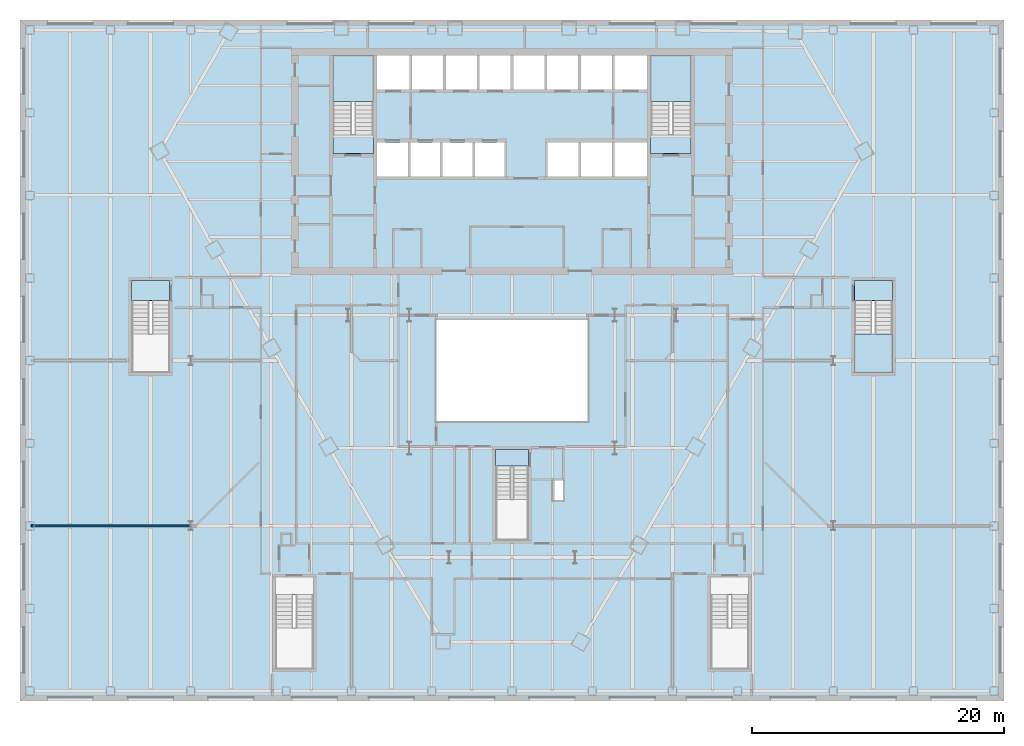
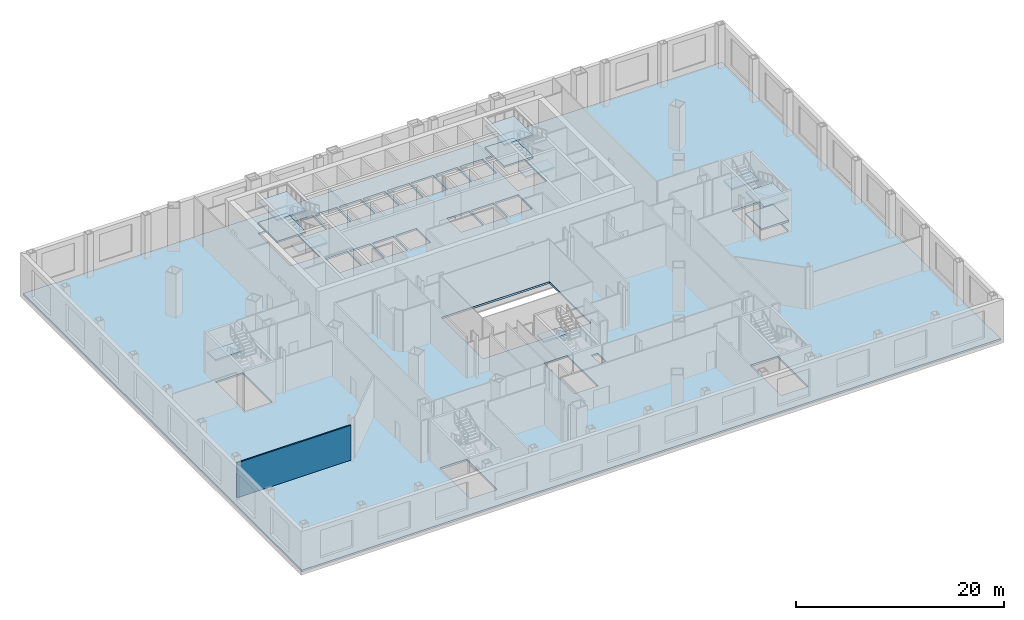
# One storey, part 7 of 21: 12 slabs, 1 wall, 5 elements without a shape of their own.
"""IFC4 building model written with IfcOpenShell, lengths in metres."""

import ifcopenshell
import ifcopenshell.guid

model = None  # the IFC model being written
_history = None  # IfcOwnerHistory: only IFC2X3 demands one
_inside = {}  # id of a spatial element -> (the spatial element, [elements in it])
_under = {}  # id of a project, library or spatial element -> (it, [spatial elements below it])
_declared = {}  # id of a project -> (the project, [libraries it declares])
_typed = {}  # id of a type object -> (the type object, [elements of that type])
_made_of = {}  # id of a material, layer set ... -> (it, [elements and type objects made of it])


def new_model(schema):
    """Start an empty IFC model of exactly this schema.

    Asked for "IFC4X3", IfcOpenShell would pick the latest addendum, in which some entities
    have other attributes; the version numbers below select the first issue.
    IFC2X3 requires an IfcOwnerHistory on every rooted entity: one is made here for all.
    """
    global model, _history
    if schema == "IFC4X3":
        model = ifcopenshell.file(schema_version=(4, 3, 0, 0))
    else:
        model = ifcopenshell.file(schema=schema)
    _inside.clear()
    _under.clear()
    _declared.clear()
    _typed.clear()
    _made_of.clear()
    _history = None
    if model.schema == "IFC2X3":
        org = make("IfcOrganization", Name="unknown")
        user = make(
            "IfcPersonAndOrganization",
            ThePerson=make("IfcPerson", FamilyName="unknown"),
            TheOrganization=org,
        )
        app = make(
            "IfcApplication",
            ApplicationDeveloper=org,
            Version="unknown",
            ApplicationFullName="unknown",
            ApplicationIdentifier="unknown",
        )
        _history = make(
            "IfcOwnerHistory",
            OwningUser=user,
            OwningApplication=app,
            ChangeAction="ADDED",
            CreationDate=0,
        )
    return model


def make(cls, **values):
    """One entity of the class cls with the attributes given. An attribute that is None is left unset."""
    return model.create_entity(
        cls, **{name: value for name, value in values.items() if value is not None}
    )


def rooted(cls, **values):
    """An entity with a GlobalId (a new one), such as an element, a storey or a relation."""
    return make(cls, GlobalId=ifcopenshell.guid.new(), OwnerHistory=_history, **values)


def si_unit(unit_type, name, prefix=None):
    """IfcSIUnit, for example si_unit("LENGTHUNIT", "METRE", prefix="MILLI")."""
    return make("IfcSIUnit", UnitType=unit_type, Prefix=prefix, Name=name)


def assignment(units):
    """IfcUnitAssignment: the units of a project."""
    return None if units is None else make("IfcUnitAssignment", Units=units)


def point(xyz):
    """IfcCartesianPoint."""
    return None if xyz is None else make("IfcCartesianPoint", Coordinates=xyz)


def direction(xyz):
    """IfcDirection."""
    return None if xyz is None else make("IfcDirection", DirectionRatios=xyz)


def frame(location, z_axis=None, x_axis=None):
    """IfcAxis2Placement3D, a coordinate frame: its origin and axes. An axis left out is left unset."""
    return make(
        "IfcAxis2Placement3D",
        Location=point(location),
        Axis=direction(z_axis),
        RefDirection=direction(x_axis),
    )


def frame_2d(location, x_axis=None):
    """IfcAxis2Placement2D, a coordinate frame in the plane: its origin and x axis."""
    return make(
        "IfcAxis2Placement2D", Location=point(location), RefDirection=direction(x_axis)
    )


def origin():
    """The frame at (0, 0, 0) with its axes left unset."""
    return frame((0.0, 0.0, 0.0))


def place(relative_to, where):
    """IfcLocalPlacement: puts the frame where relative to a parent placement (None: the world)."""
    return make(
        "IfcLocalPlacement", PlacementRelTo=relative_to, RelativePlacement=where
    )


def context(
    kind, dimensions, precision=None, world=None, true_north=None, identifier=None
):
    """IfcGeometricRepresentationContext, for example the 3D "Model" context."""
    return make(
        "IfcGeometricRepresentationContext",
        ContextIdentifier=identifier,
        ContextType=kind,
        CoordinateSpaceDimension=dimensions,
        Precision=precision,
        WorldCoordinateSystem=world,
        TrueNorth=true_north,
    )


def subcontext(parent, identifier, kind, view, scale=None):
    """IfcGeometricRepresentationSubContext, for example "Body" below "Model"."""
    return make(
        "IfcGeometricRepresentationSubContext",
        ContextIdentifier=identifier,
        ContextType=kind,
        ParentContext=parent,
        TargetScale=scale,
        TargetView=view,
    )


def project(units=None, contexts=None):
    """IfcProject with its units and contexts."""
    return rooted(
        "IfcProject",
        Name="project",
        RepresentationContexts=contexts,
        UnitsInContext=assignment(units),
    )


def spatial(cls, under=None, at=None, **own):
    """A site, building, storey or space (cls), placed at a placement, below another one or the project."""
    s = rooted(cls, ObjectPlacement=at, **own)
    if under is not None:
        _under.setdefault(under.id(), (under, []))[1].append(s)
    return s


def polyline(points):
    """IfcPolyline through the points."""
    return make("IfcPolyline", Points=[point(p) for p in points])


def profile(cls, at=None, kind="AREA", **sizes):
    """A parametric profile (cls). Its sizes go by their IFC names, for example OverallWidth=200.0."""
    return make(cls, ProfileType=kind, Position=at, **sizes)


def rectangle(**sizes):
    """IfcRectangleProfileDef."""
    return profile("IfcRectangleProfileDef", **sizes)


def outline(outer, holes=None, kind="AREA"):
    """IfcArbitraryClosedProfileDef: a profile drawn as a closed curve; with holes, ...WithVoids."""
    if holes is None:
        return make("IfcArbitraryClosedProfileDef", ProfileType=kind, OuterCurve=outer)
    return make(
        "IfcArbitraryProfileDefWithVoids",
        ProfileType=kind,
        OuterCurve=outer,
        InnerCurves=holes,
    )


def extrude(swept, where, along, depth):
    """IfcExtrudedAreaSolid: the profile swept, set in the frame where, extruded along a direction by depth."""
    return make(
        "IfcExtrudedAreaSolid",
        SweptArea=swept,
        Position=where,
        ExtrudedDirection=direction(along),
        Depth=depth,
    )


def shape(context_of_items, identifier, shape_type, items):
    """IfcShapeRepresentation: the items that make up one representation, for example the "Body"."""
    return make(
        "IfcShapeRepresentation",
        ContextOfItems=context_of_items,
        RepresentationIdentifier=identifier,
        RepresentationType=shape_type,
        Items=items,
    )


def material(Name=None, Category=None):
    """IfcMaterial."""
    return make("IfcMaterial", Name=Name, Category=Category)


def layer(
    of_material, thickness, ventilated=None, Name=None, Category=None, Priority=None
):
    """IfcMaterialLayer: one layer of a wall or slab, of a material (None: an air gap)."""
    return make(
        "IfcMaterialLayer",
        Material=of_material,
        LayerThickness=thickness,
        IsVentilated=ventilated,
        Name=Name,
        Category=Category,
        Priority=Priority,
    )


def layer_set(layers, Name=None):
    """IfcMaterialLayerSet."""
    return make("IfcMaterialLayerSet", MaterialLayers=layers, LayerSetName=Name)


def made_of(thing, what):
    """Note that an element or type object is made of a material, layer set ...; save() writes the relation."""
    if what is not None:
        _made_of.setdefault(what.id(), (what, []))[1].append(thing)
    return thing


def type_object(cls, material=None, **own):
    """A type object (cls), such as IfcWallType, which elements share."""
    return made_of(rooted(cls, **own), material)


def element(
    cls,
    number,
    at=None,
    inside=None,
    cuts=None,
    type_object=None,
    material=None,
    context=None,
    identifier="Body",
    shape_type=None,
    held_by="IfcProductDefinitionShape",
    body=None,
    shapes=None,
    **own,
):
    """One element of the class cls, such as IfcWall. Its Tag is "e" and its number.

    at: its placement. inside: the storey or other place that contains it. cuts: it is an
    opening in that element (IfcRelVoidsElement). A single representation is given by context,
    identifier, shape_type and body (its items); several are given by shapes. held_by: the class
    of the entity that holds the representations. save() writes the other relations.
    """
    e = rooted(cls, Tag="e%d" % number, ObjectPlacement=at, **own)
    if body is not None:
        shapes = [shape(context, identifier, shape_type, body)]
    if shapes is not None:
        e.Representation = make(held_by, Representations=shapes)
    if inside is not None:
        _inside.setdefault(inside.id(), (inside, []))[1].append(e)
    if cuts is not None:
        rooted(
            "IfcRelVoidsElement", RelatingBuildingElement=cuts, RelatedOpeningElement=e
        )
    if type_object is not None:
        _typed.setdefault(type_object.id(), (type_object, []))[1].append(e)
    return made_of(e, material)


def aggregate(whole, parts):
    """IfcRelAggregates: a whole, such as a stair, and the parts it consists of."""
    return rooted("IfcRelAggregates", RelatingObject=whole, RelatedObjects=parts)


def save(model, path):
    """Write the relations noted so far, then the file.

    IfcRelAggregates (storeys below a building ...), IfcRelContainedInSpatialStructure (elements
    in a storey), IfcRelDefinesByType, IfcRelAssociatesMaterial and IfcRelDeclares: one each for
    every whole, place, type object, material and project.
    """
    for whole, parts in _under.values():
        aggregate(whole, parts)
    for where, things in _inside.values():
        rooted(
            "IfcRelContainedInSpatialStructure",
            RelatedElements=things,
            RelatingStructure=where,
        )
    for kind, things in _typed.values():
        rooted("IfcRelDefinesByType", RelatedObjects=things, RelatingType=kind)
    for what, things in _made_of.values():
        rooted("IfcRelAssociatesMaterial", RelatedObjects=things, RelatingMaterial=what)
    for by, libraries in _declared.values():
        rooted("IfcRelDeclares", RelatingContext=by, RelatedDefinitions=libraries)
    model.write(path)


model = new_model("IFC4")

# Units and contexts
model_context = context("Model", 3, precision=1e-05, world=origin(), true_north=direction((0.0, 1.0)))
body_context = subcontext(model_context, "Body", "Model", "MODEL_VIEW")
ifc_project = project(units=[si_unit("LENGTHUNIT", "METRE"), si_unit("AREAUNIT", "SQUARE_METRE"), si_unit("VOLUMEUNIT", "CUBIC_METRE"), si_unit("PLANEANGLEUNIT", "RADIAN"), si_unit("MASSUNIT", "GRAM", prefix="KILO")], contexts=[model_context])

# Site, building, storey
site_placement = place(None, origin())
site = spatial("IfcSite", under=ifc_project, at=site_placement, CompositionType="ELEMENT")
building_placement = place(site_placement, origin())
building = spatial("IfcBuilding", under=site, at=building_placement, Name="Njiva Tower", CompositionType="ELEMENT")
storey_placement = place(building_placement, frame((0.0, 0.0, 8.4)))
storey = spatial("IfcBuildingStorey", under=building, at=storey_placement, Name="L01", CompositionType="ELEMENT", Elevation=8.4)

# Stair, slabs
ifc_material_1 = material(Name="Concrete C40/50", Category="concrete")
stair_type_1 = type_object("IfcStairType", Name="ST4 Exit stair 1500", PredefinedType="HALF_TURN_STAIR", material=ifc_material_1)
stair_1_placement = place(storey_placement, origin())
stair_1 = element("IfcStair", 1, at=stair_1_placement, inside=storey, type_object=stair_type_1, Name="Stair A", PredefinedType="DOUBLE_RETURN_STAIR")
ifc_layer_1 = layer(ifc_material_1, 0.2)
ifc_layer_set_1 = layer_set([ifc_layer_1], Name="Concrete C40/50")
slab_type_1 = type_object("IfcSlabType", Name="FL9 Stair landing 200", PredefinedType="LANDING", material=ifc_layer_set_1)
slab_1_placement = place(storey_placement, frame((0.0, 0.0, 1.075)))
slab_1 = element("IfcSlab", 2, at=slab_1_placement, type_object=slab_type_1, Name="ST-A landing 1", PredefinedType="LANDING", context=body_context, shape_type="SweptSolid", body=[
    extrude(outline(polyline([(-14.206, 13.74), (-10.994, 13.74), (-10.994, 17.4), (-14.206, 17.4), (-14.206, 13.74)])), origin(), (0.0, 0.0, 1.0), 0.2),
])
slab_2_placement = place(storey_placement, frame((0.0, 0.0, 2.35)))
slab_2 = element("IfcSlab", 3, at=slab_2_placement, type_object=slab_type_1, Name="ST-A landing 2", PredefinedType="LANDING", context=body_context, shape_type="SweptSolid", body=[
    extrude(outline(polyline([(-14.206, 9.6), (-10.994, 9.6), (-10.994, 11.1), (-14.206, 11.1), (-14.206, 9.6)])), origin(), (0.0, 0.0, 1.0), 0.2),
])
slab_3_placement = place(storey_placement, frame((0.0, 0.0, 3.625)))
slab_3 = element("IfcSlab", 4, at=slab_3_placement, type_object=slab_type_1, Name="ST-A landing 3", PredefinedType="LANDING", context=body_context, shape_type="SweptSolid", body=[
    extrude(outline(polyline([(-14.206, 13.74), (-10.994, 13.74), (-10.994, 17.4), (-14.206, 17.4), (-14.206, 13.74)])), origin(), (0.0, 0.0, 1.0), 0.2),
])
aggregate(stair_1, [slab_1, slab_2, slab_3])

stair_2_placement = place(storey_placement, origin())
stair_2 = element("IfcStair", 5, at=stair_2_placement, inside=storey, type_object=stair_type_1, Name="Stair B", PredefinedType="DOUBLE_RETURN_STAIR")
slab_4_placement = place(storey_placement, frame((0.0, 0.0, 1.075)))
slab_4 = element("IfcSlab", 6, at=slab_4_placement, type_object=slab_type_1, Name="ST-B landing 1", PredefinedType="LANDING", context=body_context, shape_type="SweptSolid", body=[
    extrude(outline(polyline([(10.994, 13.74), (14.206, 13.74), (14.206, 17.4), (10.994, 17.4), (10.994, 13.74)])), origin(), (0.0, 0.0, 1.0), 0.2),
])
slab_5_placement = place(storey_placement, frame((0.0, 0.0, 2.35)))
slab_5 = element("IfcSlab", 7, at=slab_5_placement, type_object=slab_type_1, Name="ST-B landing 2", PredefinedType="LANDING", context=body_context, shape_type="SweptSolid", body=[
    extrude(outline(polyline([(10.994, 9.6), (14.206, 9.6), (14.206, 11.1), (10.994, 11.1), (10.994, 9.6)])), origin(), (0.0, 0.0, 1.0), 0.2),
])
slab_6_placement = place(storey_placement, frame((0.0, 0.0, 3.625)))
slab_6 = element("IfcSlab", 8, at=slab_6_placement, type_object=slab_type_1, Name="ST-B landing 3", PredefinedType="LANDING", context=body_context, shape_type="SweptSolid", body=[
    extrude(outline(polyline([(10.994, 13.74), (14.206, 13.74), (14.206, 17.4), (10.994, 17.4), (10.994, 13.74)])), origin(), (0.0, 0.0, 1.0), 0.2),
])
aggregate(stair_2, [slab_4, slab_5, slab_6])

# Stair, slab
stair_type_2 = type_object("IfcStairType", Name="ST1 Exit stair 1250", PredefinedType="HALF_TURN_STAIR", material=ifc_material_1)
stair_3_placement = place(storey_placement, origin())
stair_3 = element("IfcStair", 9, at=stair_3_placement, inside=storey, type_object=stair_type_2, Name="Stair C", PredefinedType="DOUBLE_RETURN_STAIR")
slab_7_placement = place(storey_placement, frame((0.0, 0.0, 2.35)))
slab_7 = element("IfcSlab", 10, at=slab_7_placement, type_object=slab_type_1, Name="ST-C landing 2", PredefinedType="LANDING", context=body_context, shape_type="SweptSolid", body=[
    extrude(outline(polyline([(-1.306, -15.16), (1.306, -15.16), (1.306, -13.85), (-1.306, -13.85), (-1.306, -15.16)])), origin(), (0.0, 0.0, 1.0), 0.2),
])
aggregate(stair_3, [slab_7])

stair_type_3 = type_object("IfcStairType", Name="ST2 Exit stair 1400", PredefinedType="HALF_TURN_STAIR", material=ifc_material_1)
stair_4_placement = place(storey_placement, origin())
stair_4 = element("IfcStair", 11, at=stair_4_placement, inside=storey, type_object=stair_type_3, Name="Stair F", PredefinedType="DOUBLE_RETURN_STAIR")
slab_8_placement = place(storey_placement, frame((0.0, 0.0, 2.35)))
slab_8 = element("IfcSlab", 12, at=slab_8_placement, type_object=slab_type_1, Name="ST-F landing 2", PredefinedType="LANDING", context=body_context, shape_type="SweptSolid", body=[
    extrude(outline(polyline([(-30.156, -2.05), (-27.144, -2.05), (-27.144, -0.45), (-30.156, -0.45), (-30.156, -2.05)])), origin(), (0.0, 0.0, 1.0), 0.2),
])
aggregate(stair_4, [slab_8])

# Stair, slabs
stair_5_placement = place(storey_placement, origin())
stair_5 = element("IfcStair", 13, at=stair_5_placement, inside=storey, type_object=stair_type_3, Name="Stair G", PredefinedType="DOUBLE_RETURN_STAIR")
slab_9_placement = place(storey_placement, frame((0.0, 0.0, 1.075)))
slab_9 = element("IfcSlab", 14, at=slab_9_placement, type_object=slab_type_1, Name="ST-G landing 1", PredefinedType="LANDING", context=body_context, shape_type="SweptSolid", body=[
    extrude(outline(polyline([(27.144, -7.75), (30.156, -7.75), (30.156, -4.69), (27.144, -4.69), (27.144, -7.75)])), origin(), (0.0, 0.0, 1.0), 0.2),
])
slab_10_placement = place(storey_placement, frame((0.0, 0.0, 2.35)))
slab_10 = element("IfcSlab", 15, at=slab_10_placement, type_object=slab_type_1, Name="ST-G landing 2", PredefinedType="LANDING", context=body_context, shape_type="SweptSolid", body=[
    extrude(outline(polyline([(27.144, -2.05), (30.156, -2.05), (30.156, -0.45), (27.144, -0.45), (27.144, -2.05)])), origin(), (0.0, 0.0, 1.0), 0.2),
])
slab_11_placement = place(storey_placement, frame((0.0, 0.0, 3.625)))
slab_11 = element("IfcSlab", 16, at=slab_11_placement, type_object=slab_type_1, Name="ST-G landing 3", PredefinedType="LANDING", context=body_context, shape_type="SweptSolid", body=[
    extrude(outline(polyline([(27.144, -7.75), (30.156, -7.75), (30.156, -4.69), (27.144, -4.69), (27.144, -7.75)])), origin(), (0.0, 0.0, 1.0), 0.2),
])
aggregate(stair_5, [slab_9, slab_10, slab_11])

# Slab
ifc_material_2 = material(Name="Concrete C30/37", Category="concrete")
ifc_layer_2 = layer(ifc_material_2, 0.22)
ifc_layer_set_2 = layer_set([ifc_layer_2], Name="Concrete C30/37")
slab_type_2 = type_object("IfcSlabType", Name="SL12 Composite floor slab 220", PredefinedType="FLOOR", material=ifc_layer_set_2)
slab_12_placement = place(storey_placement, frame((0.0, 0.0, -0.22)))
element("IfcSlab", 17, at=slab_12_placement, inside=storey, type_object=slab_type_2, Name="Floor slab L01", PredefinedType="FLOOR", context=body_context, shape_type="SweptSolid", body=[
    extrude(outline(polyline([(-38.775, -33.575), (-38.775, 19.975), (38.775, 19.975), (38.775, -33.575), (-38.775, -33.575)]), holes=[polyline([(27.144, -7.75), (30.156, -7.75), (30.156, -2.08), (27.144, -2.08), (27.144, -7.75)]), polyline([(15.744, -31.25), (18.756, -31.25), (18.756, -25.38), (15.744, -25.38), (15.744, -31.25)]), polyline([(10.994, 17.4), (10.994, 11.13), (14.206, 11.13), (14.206, 17.4), (10.994, 17.4)]), polyline([(8.125, 17.4), (8.125, 14.7), (10.7, 14.7), (10.7, 17.4), (8.125, 17.4)]), polyline([(8.1333, 7.8), (10.7, 7.8), (10.7, 10.5), (8.1333, 10.5), (8.1333, 7.8)]), polyline([(5.4667, 10.5), (5.4667, 7.8), (7.9333, 7.8), (7.9333, 10.5), (5.4667, 10.5)]), polyline([(5.45, 17.4), (5.45, 14.7), (7.925, 14.7), (7.925, 17.4), (5.45, 17.4)]), polyline([(-6.0, -11.6), (6.0, -11.6), (6.0, -3.6), (-6.0, -3.6), (-6.0, -11.6)]), polyline([(2.8, 10.5), (2.8, 7.8), (5.2667, 7.8), (5.2667, 10.5), (2.8, 10.5)]), polyline([(2.775, 14.7), (5.25, 14.7), (5.25, 17.4), (2.775, 17.4), (2.775, 14.7)]), polyline([(3.35, -16.3), (3.35, -17.85), (4.05, -17.85), (4.05, -16.3), (3.35, -16.3)]), polyline([(0.1, 17.4), (0.1, 14.7), (2.575, 14.7), (2.575, 17.4), (0.1, 17.4)]), polyline([(-1.306, -15.19), (-1.306, -21.05), (1.306, -21.05), (1.306, -15.19), (-1.306, -15.19)]), polyline([(-2.575, 17.4), (-2.575, 14.7), (-0.1, 14.7), (-0.1, 17.4), (-2.575, 17.4)]), polyline([(-2.95, 7.8), (-0.6, 7.8), (-0.6, 10.5), (-2.95, 10.5), (-2.95, 7.8)]), polyline([(-5.25, 17.4), (-5.25, 14.7), (-2.775, 14.7), (-2.775, 17.4), (-5.25, 17.4)]), polyline([(-5.5, 10.5), (-5.5, 7.8), (-3.15, 7.8), (-3.15, 10.5), (-5.5, 10.5)]), polyline([(-7.925, 14.7), (-5.45, 14.7), (-5.45, 17.4), (-7.925, 17.4), (-7.925, 14.7)]), polyline([(-8.05, 10.5), (-8.05, 7.8), (-5.7, 7.8), (-5.7, 10.5), (-8.05, 10.5)]), polyline([(-10.7, 17.4), (-10.7, 14.7), (-8.125, 14.7), (-8.125, 17.4), (-10.7, 17.4)]), polyline([(-10.7, 7.8), (-8.25, 7.8), (-8.25, 10.5), (-10.7, 10.5), (-10.7, 7.8)]), polyline([(-14.206, 17.4), (-14.206, 11.13), (-10.994, 11.13), (-10.994, 17.4), (-14.206, 17.4)]), polyline([(-18.756, -31.25), (-15.744, -31.25), (-15.744, -25.38), (-18.756, -25.38), (-18.756, -31.25)]), polyline([(-30.156, -2.08), (-30.156, -7.75), (-27.144, -7.75), (-27.144, -2.08), (-30.156, -2.08)])]), origin(), (0.0, 0.0, 1.0), 0.22),
])

# Wall
ifc_material_3 = material(Name="Gypsum board on steel studs", Category="gypsum")
ifc_layer_3 = layer(ifc_material_3, 0.15)
ifc_layer_set_3 = layer_set([ifc_layer_3], Name="Gypsum board on steel studs")
wall_type = type_object("IfcWallType", Name="WT21 Compartment wall 150", PredefinedType="PARTITIONING", material=ifc_layer_set_3)
wall_placement = place(storey_placement, frame((-38.1, -19.9, 0.0), z_axis=(0.0, 0.0, 1.0), x_axis=(1.0, 0.0, 0.0)))
element("IfcWall", 18, at=wall_placement, inside=storey, type_object=wall_type, Name="Partition L01-P001", PredefinedType="PARTITIONING", context=body_context, shape_type="SweptSolid", body=[
    extrude(rectangle(XDim=12.633, YDim=0.15, at=frame_2d((6.3165, 0.0))), origin(), (0.0, 0.0, 1.0), 4.09),
])

save(model, "model.ifc")
